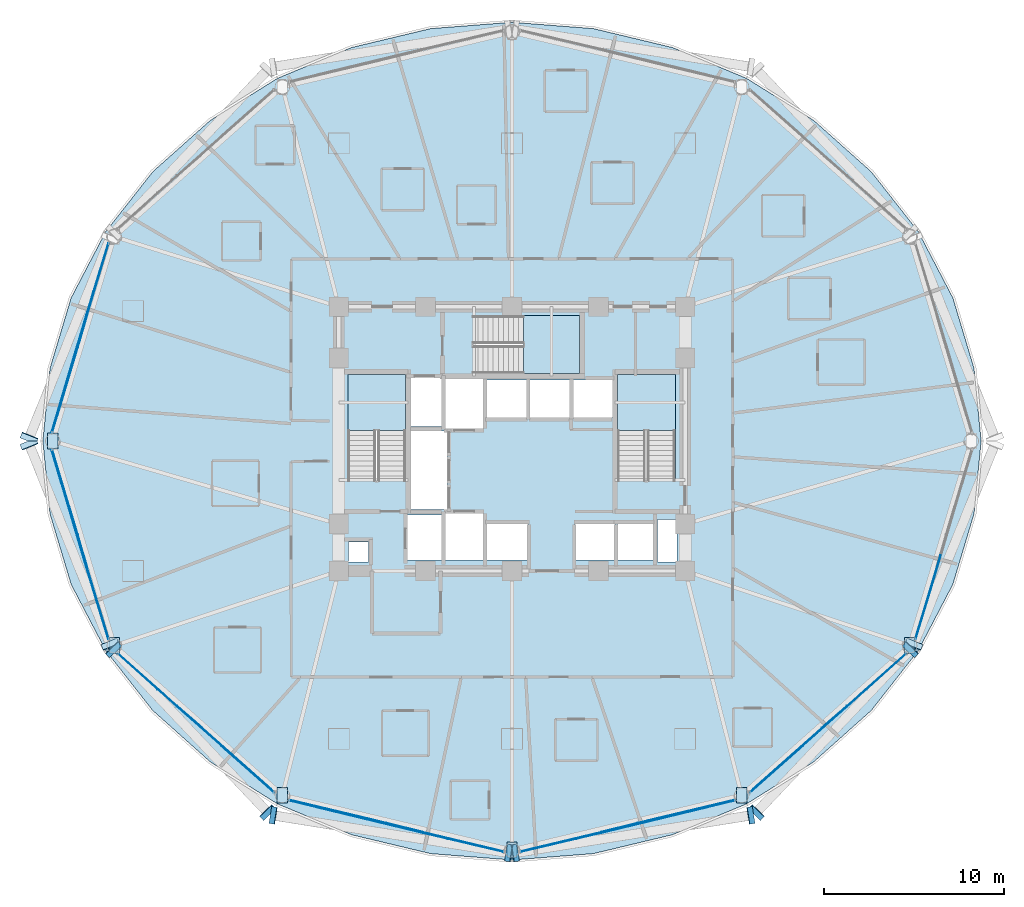
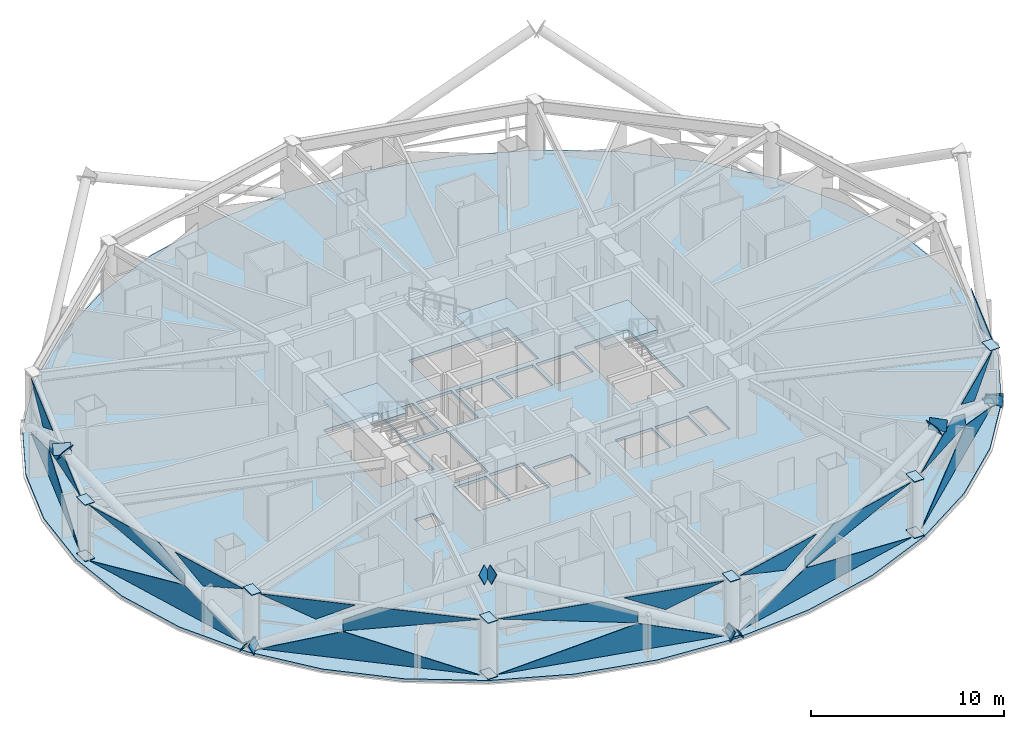
# One storey, part 21 of 31: 43 plates, 4 slabs, 10 elements without a shape of their own.
"""IFC4 building model written with IfcOpenShell, lengths in metres."""

from ifc_helpers import new_model, si_unit, direction, frame, origin, place, context, subcontext, project, spatial, polyline, outline, extrude, material, layer, layer_set, type_object, element, aggregate, save


model = new_model("IFC4")

# Units and contexts
model_context = context("Model", 3, precision=1e-05, world=origin(), true_north=direction((0.0, 1.0)))
body_context = subcontext(model_context, "Body", "Model", "MODEL_VIEW")
ifc_project = project(units=[si_unit("LENGTHUNIT", "METRE"), si_unit("AREAUNIT", "SQUARE_METRE"), si_unit("VOLUMEUNIT", "CUBIC_METRE"), si_unit("PLANEANGLEUNIT", "RADIAN"), si_unit("MASSUNIT", "GRAM", prefix="KILO")], contexts=[model_context])

# Site, building, storey
site_placement = place(None, origin())
site = spatial("IfcSite", under=ifc_project, at=site_placement, CompositionType="ELEMENT")
building_placement = place(site_placement, origin())
building = spatial("IfcBuilding", under=site, at=building_placement, Name="Vantalir Tower", CompositionType="ELEMENT")
storey_placement = place(building_placement, frame((0.0, 0.0, 34.5)))
storey = spatial("IfcBuildingStorey", under=building, at=storey_placement, Name="L07", CompositionType="ELEMENT", Elevation=34.5)

# Curtain wall, plates
ifc_material_1 = material(Name="Champagne-silver PVDF aluminium and double-silver Low-E glass", Category="aluminium")
ifc_layer_1 = layer(ifc_material_1, 0.18994140625)
ifc_layer_set_1 = layer_set([ifc_layer_1], Name="Champagne-silver PVDF aluminium and double-silver Low-E glass")
curtain_wall_type = type_object("IfcCurtainWallType", Name="CW-DIAMOND-Z1", PredefinedType="USERDEFINED", material=ifc_layer_set_1)
curtain_wall_1_placement = place(storey_placement, origin())
curtain_wall_1 = element("IfcCurtainWall", 1, at=curtain_wall_1_placement, inside=storey, type_object=curtain_wall_type, Name="L07 Quilted Pyramid-Diamond Curtain Wall S06", ObjectType="UNITISED CURTAIN WALL", PredefinedType="USERDEFINED")
ifc_material_2 = material(Name="Double-silver Low-E laminated glass IGU", Category="glass")
ifc_layer_2 = layer(ifc_material_2, 0.028076171875)
ifc_layer_set_2 = layer_set([ifc_layer_2], Name="Double-silver Low-E laminated glass IGU")
plate_type_1 = type_object("IfcPlateType", Name="CWP-IGU-28", PredefinedType="CURTAIN_PANEL", material=ifc_layer_set_2)
plate_1_placement = place(storey_placement, frame((9.1552734375, 35.962646484375, 0.046630859375), z_axis=(0.957578880535, -0.287846289434, 0.013682149448), x_axis=(-0.287872943892, -0.957668610574, -2.2270845e-05)))
plate_1 = element("IfcPlate", 2, at=plate_1_placement, type_object=plate_type_1, Name="CW-L07-S06 Pyramid Diamond Facet 1L", PredefinedType="CURTAIN_PANEL", context=body_context, shape_type="SweptSolid", body=[
    extrude(outline(polyline([(0.0, 0.0), (10.962342191971807, 4.960224939121183e-18), (4.17112620356803, -1.7265728701411234), (0.0, 0.0)])), origin(), (0.0, 0.0, -1.0), 0.028076171875),
])
plate_2_placement = place(storey_placement, frame((7.423095703125, 30.2001953125, 3.5234375), z_axis=(-0.95757709555, 0.287851926147, 0.013688487562), x_axis=(-0.287878896961, -0.957666821334, 8.0838e-08)))
plate_2 = element("IfcPlate", 3, at=plate_2_placement, type_object=plate_type_1, Name="CW-L07-S06 Pyramid Diamond Facet 2U", PredefinedType="CURTAIN_PANEL", context=body_context, shape_type="SweptSolid", body=[
    extrude(outline(polyline([(0.0, 0.0), (4.9451764766655355, 3.469446951953614e-18), (-1.8460010540114744, -1.7267241305527814), (-1.8458890448418033, -1.0745630193233766), (0.0, 0.0)])), origin(), (0.0, 0.0, -1.0), 0.028076171875),
])
plate_3_placement = place(storey_placement, frame((9.124755859375, 35.971923828125, 3.523681640625), z_axis=(-0.957575984619, 0.287852951573, 0.013744524407), x_axis=(-0.287879481159, -0.957666644396, 5.0390247e-05)))
plate_3 = element("IfcPlate", 4, at=plate_3_placement, type_object=plate_type_1, Name="CW-L07-S06 Pyramid Diamond Facet 2U Infill Light", PredefinedType="CURTAIN_PANEL", context=body_context, shape_type="SweptSolid", body=[
    extrude(outline(polyline([(0.0, 0.0), (4.844997583739049, 4.607859233063394e-19), (2.831477520793205, -1.1718842364116733), (0.0, 0.0)])), origin(), (0.0, 0.0, -1.0), 0.028076171875),
])
aggregate(curtain_wall_1, [plate_1, plate_2, plate_3])

curtain_wall_2_placement = place(storey_placement, origin())
curtain_wall_2 = element("IfcCurtainWall", 5, at=curtain_wall_2_placement, inside=storey, type_object=curtain_wall_type, Name="L07 Quilted Pyramid-Diamond Curtain Wall S07", ObjectType="UNITISED CURTAIN WALL", PredefinedType="USERDEFINED")
plate_4_placement = place(storey_placement, frame((5.99951171875, 24.53564453125, 0.04638671875), z_axis=(0.957578880535, 0.287846289434, 0.013682149448), x_axis=(0.287872943892, -0.957668610574, 2.2270845e-05)))
plate_4 = element("IfcPlate", 6, at=plate_4_placement, type_object=plate_type_1, Name="CW-L07-S07 Pyramid Diamond Facet 1L", PredefinedType="CURTAIN_PANEL", context=body_context, shape_type="SweptSolid", body=[
    extrude(outline(polyline([(0.0, 0.0), (10.962342191971807, -4.960224939121183e-18), (6.791215988403775, -1.7265728701411234), (0.0, 0.0)])), origin(), (0.0, 0.0, -1.0), 0.028076171875),
])
plate_5_placement = place(storey_placement, frame((5.99951171875, 24.53564453125, 3.5234375), z_axis=(-0.95757709555, -0.287851926147, 0.013688487562), x_axis=(0.287878896961, -0.957666821334, -8.0838e-08)))
plate_5 = element("IfcPlate", 7, at=plate_5_placement, type_object=plate_type_1, Name="CW-L07-S07 Pyramid Diamond Facet 2U", PredefinedType="CURTAIN_PANEL", context=body_context, shape_type="SweptSolid", body=[
    extrude(outline(polyline([(0.0, 0.0), (4.9451764766655355, -3.469446951953614e-18), (6.791065521507338, -1.0745630193233766), (6.79117753067701, -1.7267241305527814), (0.0, 0.0)])), origin(), (0.0, 0.0, -1.0), 0.028076171875),
])
plate_6_placement = place(storey_placement, frame((7.72998046875, 18.66796875, 3.52392578125), z_axis=(-0.957575984619, -0.287852951573, 0.013744524407), x_axis=(0.287879481159, -0.957666644396, -5.0390247e-05)))
plate_6 = element("IfcPlate", 8, at=plate_6_placement, type_object=plate_type_1, Name="CW-L07-S07 Pyramid Diamond Facet 2U Infill Light", PredefinedType="CURTAIN_PANEL", context=body_context, shape_type="SweptSolid", body=[
    extrude(outline(polyline([(0.0, 0.0), (4.844997583739049, -4.607859233063394e-19), (2.0135200629458447, -1.1718842364116733), (0.0, 0.0)])), origin(), (0.0, 0.0, -1.0), 0.028076171875),
])
aggregate(curtain_wall_2, [plate_4, plate_5, plate_6])

curtain_wall_3_placement = place(storey_placement, origin())
curtain_wall_3 = element("IfcCurtainWall", 9, at=curtain_wall_3_placement, inside=storey, type_object=curtain_wall_type, Name="L07 Quilted Pyramid-Diamond Curtain Wall S08", ObjectType="UNITISED CURTAIN WALL", PredefinedType="USERDEFINED")
plate_7_placement = place(storey_placement, frame((9.656982421875, 13.250244140625, 0.046630859375), z_axis=(0.665308885605, 0.746444198425, 0.013606813458), x_axis=(0.746513498737, -0.66537026967, -2.1043369e-05)))
plate_7 = element("IfcPlate", 10, at=plate_7_placement, type_object=plate_type_1, Name="CW-L07-S08 Pyramid Diamond Facet 1L", PredefinedType="CURTAIN_PANEL", context=body_context, shape_type="SweptSolid", body=[
    extrude(outline(polyline([(0.0, 0.0), (11.601784410505761, 9.920449878242366e-18), (4.410452310106066, -1.726815174474904), (0.0, 0.0)])), origin(), (0.0, 0.0, -1.0), 0.028076171875),
])
plate_8_placement = place(storey_placement, frame((14.32763671875, 9.087158203125, 3.5234375), z_axis=(-0.665295896096, -0.746457044834, 0.013537018017), x_axis=(0.746525859022, -0.665356400532, 4.5640372e-05)))
plate_8 = element("IfcPlate", 11, at=plate_8_placement, type_object=plate_type_1, Name="CW-L07-S08 Pyramid Diamond Facet 2U", PredefinedType="CURTAIN_PANEL", context=body_context, shape_type="SweptSolid", body=[
    extrude(outline(polyline([(0.0, 0.0), (5.34508431934579, -6.965998958219366e-18), (-1.8462906958364507, -1.7268806104543608), (-1.8464134828495853, -1.035411184032086), (0.0, 0.0)])), origin(), (0.0, 0.0, -1.0), 0.028076171875),
])
plate_9_placement = place(storey_placement, frame((9.6357421875, 13.2265625, 3.52392578125), z_axis=(-0.665342965553, -0.746415182255, 0.013531958037), x_axis=(0.746483531135, -0.665403890689, 0.0)))
plate_9 = element("IfcPlate", 12, at=plate_9_placement, type_object=plate_type_1, Name="CW-L07-S08 Pyramid Diamond Facet 2U Infill Light", PredefinedType="CURTAIN_PANEL", context=body_context, shape_type="SweptSolid", body=[
    extrude(outline(polyline([(0.0, 0.0), (5.052661389449345, 0.0), (2.975530594401684, -1.1651457445678306), (0.0, 0.0)])), origin(), (0.0, 0.0, -1.0), 0.028076171875),
])
aggregate(curtain_wall_3, [plate_7, plate_8, plate_9])

curtain_wall_4_placement = place(storey_placement, origin())
curtain_wall_4 = element("IfcCurtainWall", 13, at=curtain_wall_4_placement, inside=storey, type_object=curtain_wall_type, Name="L07 Quilted Pyramid-Diamond Curtain Wall S09", ObjectType="UNITISED CURTAIN WALL", PredefinedType="USERDEFINED")
plate_10_placement = place(storey_placement, frame((19.151611328125, 5.09521484375, 0.04638671875), z_axis=(0.232286508823, 0.972549752748, 0.013782461632), x_axis=(0.972642072645, -0.232308842109, 1.9993876e-05)))
plate_10 = element("IfcPlate", 14, at=plate_10_placement, type_object=plate_type_1, Name="CW-L07-S09 Pyramid Diamond Facet 1L", PredefinedType="CURTAIN_PANEL", context=body_context, shape_type="SweptSolid", body=[
    extrude(outline(polyline([(0.0, 0.0), (12.210770352635775, -5.963111948670274e-19), (7.564815878873884, -1.727063572655862), (0.0, 0.0)])), origin(), (0.0, 0.0, -1.0), 0.028076171875),
])
plate_11_placement = place(storey_placement, frame((19.151611328125, 5.09521484375, 3.523681640625), z_axis=(-0.232265562903, -0.972552635623, 0.013931232274), x_axis=(0.972647026321, -0.232288101694, 2.54665e-07)))
plate_11 = element("IfcPlate", 15, at=plate_11_placement, type_object=plate_type_1, Name="CW-L07-S09 Pyramid Diamond Facet 2U", PredefinedType="CURTAIN_PANEL", context=body_context, shape_type="SweptSolid", body=[
    extrude(outline(polyline([(0.0, 0.0), (5.536172911172143, 3.469446951953614e-18), (7.564876137438785, -1.0699299758912284), (7.56478040077165, -1.727463078978955), (0.0, 0.0)])), origin(), (0.0, 0.0, -1.0), 0.028076171875),
])
plate_12_placement = place(storey_placement, frame((25.758056640625, 3.484619140625, 3.52392578125), z_axis=(-0.232297726161, -0.972546529978, 0.013820761463), x_axis=(0.97263942802, -0.232319915335, 0.0)))
plate_12 = element("IfcPlate", 16, at=plate_12_placement, type_object=plate_type_1, Name="CW-L07-S09 Pyramid Diamond Facet 2U Infill Light", PredefinedType="CURTAIN_PANEL", context=body_context, shape_type="SweptSolid", body=[
    extrude(outline(polyline([(0.0, 0.0), (5.410987156709802, 0.0), (2.2373670714759313, -1.1798001842315358), (0.0, 0.0)])), origin(), (0.0, 0.0, -1.0), 0.028076171875),
])
aggregate(curtain_wall_4, [plate_10, plate_11, plate_12])

curtain_wall_5_placement = place(storey_placement, origin())
curtain_wall_5 = element("IfcCurtainWall", 17, at=curtain_wall_5_placement, inside=storey, type_object=curtain_wall_type, Name="L07 Quilted Pyramid-Diamond Curtain Wall S10", ObjectType="UNITISED CURTAIN WALL", PredefinedType="USERDEFINED")
plate_13_placement = place(storey_placement, frame((31.9716796875, 2.258544921875, 0.046630859375), z_axis=(-0.232286508823, 0.972549752748, 0.013782461632), x_axis=(0.972642072645, 0.232308842109, -1.9993876e-05)))
plate_13 = element("IfcPlate", 18, at=plate_13_placement, type_object=plate_type_1, Name="CW-L07-S10 Pyramid Diamond Facet 1L", PredefinedType="CURTAIN_PANEL", context=body_context, shape_type="SweptSolid", body=[
    extrude(outline(polyline([(0.0, 0.0), (12.210770352635775, 5.963111948670274e-19), (4.645954473761892, -1.7270635726558619), (0.0, 0.0)])), origin(), (0.0, 0.0, -1.0), 0.028076171875),
])
plate_14_placement = place(storey_placement, frame((38.463623046875, 3.809326171875, 3.523681640625), z_axis=(0.232265562903, -0.972552635623, 0.013931232274), x_axis=(0.972647026321, 0.232288101694, -2.54665e-07)))
plate_14 = element("IfcPlate", 19, at=plate_14_placement, type_object=plate_type_1, Name="CW-L07-S10 Pyramid Diamond Facet 2U", PredefinedType="CURTAIN_PANEL", context=body_context, shape_type="SweptSolid", body=[
    extrude(outline(polyline([(0.0, 0.0), (5.536172911172143, -3.469446951953614e-18), (-2.028607489599507, -1.727463078978955), (-2.0287032262666416, -1.0699299758912284), (0.0, 0.0)])), origin(), (0.0, 0.0, -1.0), 0.028076171875),
])
plate_15_placement = place(storey_placement, frame((31.97900390625, 2.2275390625, 3.52392578125), z_axis=(0.232297726161, -0.972546529978, 0.013820761463), x_axis=(0.97263942802, 0.232319915335, 0.0)))
plate_15 = element("IfcPlate", 20, at=plate_15_placement, type_object=plate_type_1, Name="CW-L07-S10 Pyramid Diamond Facet 2U Infill Light", PredefinedType="CURTAIN_PANEL", context=body_context, shape_type="SweptSolid", body=[
    extrude(outline(polyline([(0.0, 0.0), (5.410987156709802, 0.0), (3.173620085233871, -1.1798001842315358), (0.0, 0.0)])), origin(), (0.0, 0.0, -1.0), 0.028076171875),
])
aggregate(curtain_wall_5, [plate_13, plate_14, plate_15])

curtain_wall_6_placement = place(storey_placement, origin())
curtain_wall_6 = element("IfcCurtainWall", 21, at=curtain_wall_6_placement, inside=storey, type_object=curtain_wall_type, Name="L07 Quilted Pyramid-Diamond Curtain Wall S11", ObjectType="UNITISED CURTAIN WALL", PredefinedType="USERDEFINED")
plate_16_placement = place(storey_placement, frame((44.68212890625, 5.53076171875, 0.04638671875), z_axis=(-0.665308885605, 0.746444198425, 0.013606813458), x_axis=(0.746513498737, 0.66537026967, 2.1043369e-05)))
plate_16 = element("IfcPlate", 22, at=plate_16_placement, type_object=plate_type_1, Name="CW-L07-S11 Pyramid Diamond Facet 1L", PredefinedType="CURTAIN_PANEL", context=body_context, shape_type="SweptSolid", body=[
    extrude(outline(polyline([(0.0, 0.0), (11.601784410505761, -9.920449878242366e-18), (7.191332100399694, -1.7268151744749043), (0.0, 0.0)])), origin(), (0.0, 0.0, -1.0), 0.028076171875),
])
plate_17_placement = place(storey_placement, frame((44.68212890625, 5.53076171875, 3.523681640625), z_axis=(0.665295896096, -0.746457044834, 0.013537018017), x_axis=(0.746525859022, 0.665356400532, -4.5640372e-05)))
plate_17 = element("IfcPlate", 23, at=plate_17_placement, type_object=plate_type_1, Name="CW-L07-S11 Pyramid Diamond Facet 2U", PredefinedType="CURTAIN_PANEL", context=body_context, shape_type="SweptSolid", body=[
    extrude(outline(polyline([(0.0, 0.0), (5.34508431934579, 6.965998958219366e-18), (7.191497802195375, -1.035411184032086), (7.19137501518224, -1.7268806104543606), (0.0, 0.0)])), origin(), (0.0, 0.0, -1.0), 0.028076171875),
])
plate_18_placement = place(storey_placement, frame((49.592529296875, 9.864501953125, 3.52392578125), z_axis=(0.665342965553, -0.746415182255, 0.013531958037), x_axis=(0.746483531135, 0.665403890689, 0.0)))
plate_18 = element("IfcPlate", 24, at=plate_18_placement, type_object=plate_type_1, Name="CW-L07-S11 Pyramid Diamond Facet 2U Infill Light", PredefinedType="CURTAIN_PANEL", context=body_context, shape_type="SweptSolid", body=[
    extrude(outline(polyline([(0.0, 0.0), (5.052661389449345, 0.0), (2.077130795047662, -1.1651457445678306), (0.0, 0.0)])), origin(), (0.0, 0.0, -1.0), 0.028076171875),
])
aggregate(curtain_wall_6, [plate_16, plate_17, plate_18])

# Curtain wall, plate
curtain_wall_7_placement = place(storey_placement, origin())
curtain_wall_7 = element("IfcCurtainWall", 25, at=curtain_wall_7_placement, inside=storey, type_object=curtain_wall_type, Name="L07 Quilted Pyramid-Diamond Curtain Wall S12", ObjectType="UNITISED CURTAIN WALL", PredefinedType="USERDEFINED")
plate_19_placement = place(storey_placement, frame((53.875244140625, 14.028076171875, 3.523681640625), z_axis=(0.957575984619, -0.287852951573, 0.013744524407), x_axis=(0.287879481159, 0.957666644396, 5.0390247e-05)))
plate_19 = element("IfcPlate", 26, at=plate_19_placement, type_object=plate_type_1, Name="CW-L07-S12 Pyramid Diamond Facet 2U Infill Light", PredefinedType="CURTAIN_PANEL", context=body_context, shape_type="SweptSolid", body=[
    extrude(outline(polyline([(0.0, 0.0), (4.844997583739049, 4.607859233063394e-19), (2.831477520793205, -1.1718842364116733), (0.0, 0.0)])), origin(), (0.0, 0.0, -1.0), 0.028076171875),
])
aggregate(curtain_wall_7, [plate_19])

# Plates
ifc_material_3 = material(Name="Steel S460", Category="steel")
ifc_layer_3 = layer(ifc_material_3, 0.0400390625)
ifc_layer_set_3 = layer_set([ifc_layer_3], Name="Steel S460")
plate_type_2 = type_object("IfcPlateType", Name="PLT-KN-Z1", PredefinedType="USERDEFINED", material=ifc_layer_set_3)
plate_20_placement = place(storey_placement, frame((4.233154296875, 25.1845703125, 6.87744140625), z_axis=(-0.32429785934, -0.801578984289, 0.502296755289), x_axis=(0.927000734219, -0.375059512357, -3.0797032e-05)))
element("IfcPlate", 27, at=plate_20_placement, inside=storey, type_object=plate_type_2, Name="Node Cap Plate MEM-DG-L07-R16L End", ObjectType="FLANGE_PLATE", PredefinedType="USERDEFINED", context=body_context, shape_type="SweptSolid", body=[
    extrude(outline(polyline([(0.0, 0.0), (0.9502454924566439, 0.0), (0.9500851695939612, 0.6200589616401195), (0.00015756293970395075, 0.6199912849772323), (0.0, 0.0)])), origin(), (0.0, 0.0, -1.0), 0.0400390625),
])
plate_21_placement = place(storey_placement, frame((9.19091796875, 12.991943359375, -0.0791015625), z_axis=(0.599820441711, -0.633679464776, 0.488534311617), x_axis=(0.726242994845, 0.687438078985, 0.0)))
element("IfcPlate", 28, at=plate_21_placement, inside=storey, type_object=plate_type_2, Name="Node Cap Plate MEM-DG-L07-R22L Start", ObjectType="FLANGE_PLATE", PredefinedType="USERDEFINED", context=body_context, shape_type="SweptSolid", body=[
    extrude(outline(polyline([(0.0, 0.0), (0.9500145421671882, 0.0), (0.9499892576365012, 0.620043459822388), (-2.5284530686953133e-05, 0.620043459822388), (0.0, 0.0)])), origin(), (0.0, 0.0, -1.0), 0.0400390625),
])
plate_22_placement = place(storey_placement, frame((17.7314453125, 3.970458984375, 6.877685546875), z_axis=(0.5998376671, -0.633579236488, 0.488643146088), x_axis=(0.726163532153, 0.687522016367, 3.9773685e-05)))
element("IfcPlate", 29, at=plate_22_placement, inside=storey, type_object=plate_type_2, Name="Node Cap Plate MEM-DG-L07-R22L End", ObjectType="FLANGE_PLATE", PredefinedType="USERDEFINED", context=body_context, shape_type="SweptSolid", body=[
    extrude(outline(polyline([(0.0, 0.0), (0.9501823871245255, 0.0), (0.950213632804475, 0.6200434547270608), (0.00019909773472647846, 0.6201300785002961), (0.0, 0.0)])), origin(), (0.0, 0.0, -1.0), 0.0400390625),
])
plate_23_placement = place(storey_placement, frame((9.60302734375, 14.078369140625, -0.073486328125), z_axis=(-0.324348519355, 0.801593086203, 0.502241537653), x_axis=(-0.926978097613, -0.375115454054, 5.1730214e-05)))
element("IfcPlate", 30, at=plate_23_placement, inside=storey, type_object=plate_type_2, Name="Node Cap Plate MEM-DG-L07-R22R Start", ObjectType="FLANGE_PLATE", PredefinedType="USERDEFINED", context=body_context, shape_type="SweptSolid", body=[
    extrude(outline(polyline([(0.0, 0.0), (0.9500191799336452, -2.7755575615628914e-17), (0.9501179435034988, 0.6199452884684159), (0.00019034449125337807, 0.6200589481672679), (0.0, 0.0)])), origin(), (0.0, 0.0, -1.0), 0.0400390625),
])
plate_24_placement = place(storey_placement, frame((5.114013671875, 25.171875, 6.87744140625), z_axis=(-0.32429785934, 0.801578984289, 0.502296755289), x_axis=(-0.927000734219, -0.375059512357, 3.0797032e-05)))
element("IfcPlate", 31, at=plate_24_placement, inside=storey, type_object=plate_type_2, Name="Node Cap Plate MEM-DG-L07-R22R End", ObjectType="FLANGE_PLATE", PredefinedType="USERDEFINED", context=body_context, shape_type="SweptSolid", body=[
    extrude(outline(polyline([(0.0, 0.0), (0.9502454924566439, 0.0), (0.9500879295169399, 0.6199912849772323), (0.00016032286268275185, 0.6200589616401194), (0.0, 0.0)])), origin(), (0.0, 0.0, -1.0), 0.0400390625),
])
plate_25_placement = place(storey_placement, frame((31.916748046875, 1.7314453125, -0.087890625), z_axis=(0.873501895215, 0.139464778846, 0.466416138784), x_axis=(-0.157633133954, 0.987497742476, -6.070332e-05)))
element("IfcPlate", 32, at=plate_25_placement, inside=storey, type_object=plate_type_2, Name="Node Cap Plate MEM-DG-L07-R28L Start", ObjectType="FLANGE_PLATE", PredefinedType="USERDEFINED", context=body_context, shape_type="SweptSolid", body=[
    extrude(outline(polyline([(0.0, 0.0), (0.9500934900997524, 0.0), (0.9500037316102368, 0.6199626391592217), (0.00011284517467441804, 0.6198322526935731), (0.0, 0.0)])), origin(), (0.0, 0.0, -1.0), 0.0400390625),
])
plate_26_placement = place(storey_placement, frame((44.968505859375, 3.8154296875, 6.878173828125), z_axis=(0.873501895215, 0.139464778846, 0.466416138784), x_axis=(-0.157687644765, 0.987489040321, 4.3986328e-05)))
element("IfcPlate", 33, at=plate_26_placement, inside=storey, type_object=plate_type_2, Name="Node Cap Plate MEM-DG-L07-R28L End", ObjectType="FLANGE_PLATE", PredefinedType="USERDEFINED", context=body_context, shape_type="SweptSolid", body=[
    extrude(outline(polyline([(0.0, 0.0), (0.9501319814058832, 0.0), (0.9500770984671998, 0.6198502004474862), (0.00022470121294896483, 0.6199446799900126), (0.0, 0.0)])), origin(), (0.0, 0.0, -1.0), 0.0400390625),
])
plate_27_placement = place(storey_placement, frame((31.23291015625, 2.669677734375, -0.087890625), z_axis=(-0.873501895215, 0.139464778846, 0.466416138784), x_axis=(-0.157633133954, -0.987497742476, 6.070332e-05)))
element("IfcPlate", 34, at=plate_27_placement, inside=storey, type_object=plate_type_2, Name="Node Cap Plate MEM-DG-L07-R28R Start", ObjectType="FLANGE_PLATE", PredefinedType="USERDEFINED", context=body_context, shape_type="SweptSolid", body=[
    extrude(outline(polyline([(0.0, 0.0), (0.9500934900997524, 0.0), (0.9499806449250779, 0.6198322526935731), (8.975848951562778e-05, 0.6199626391592217), (0.0, 0.0)])), origin(), (0.0, 0.0, -1.0), 0.0400390625),
])
plate_28_placement = place(storey_placement, frame((18.181396484375, 4.753662109375, 6.878173828125), z_axis=(-0.873501895215, 0.139464778846, 0.466416138784), x_axis=(-0.157687644765, -0.987489040321, -4.3986328e-05)))
element("IfcPlate", 35, at=plate_28_placement, inside=storey, type_object=plate_type_2, Name="Node Cap Plate MEM-DG-L07-R28R End", ObjectType="FLANGE_PLATE", PredefinedType="USERDEFINED", context=body_context, shape_type="SweptSolid", body=[
    extrude(outline(polyline([(0.0, 0.0), (0.9501319814058832, 0.0), (0.9499072801929341, 0.6199446799900126), (5.4882938683289905e-05, 0.6198502004474862), (0.0, 0.0)])), origin(), (0.0, 0.0, -1.0), 0.0400390625),
])
plate_29_placement = place(storey_placement, frame((54.277587890625, 13.721923828125, -0.073486328125), z_axis=(0.324348519355, 0.801593086203, 0.502241537653), x_axis=(-0.926978097613, 0.375115454054, -5.1730214e-05)))
element("IfcPlate", 36, at=plate_29_placement, inside=storey, type_object=plate_type_2, Name="Node Cap Plate MEM-DG-L07-R34L Start", ObjectType="FLANGE_PLATE", PredefinedType="USERDEFINED", context=body_context, shape_type="SweptSolid", body=[
    extrude(outline(polyline([(0.0, 0.0), (0.9500191799336452, 2.7755575615628914e-17), (0.9498288354423918, 0.620058948167268), (-9.876356985355274e-05, 0.619945288468416), (0.0, 0.0)])), origin(), (0.0, 0.0, -1.0), 0.0400390625),
])
plate_30_placement = place(storey_placement, frame((53.119140625, 13.64501953125, -0.0791015625), z_axis=(-0.599820441711, -0.633679464776, 0.488534311617), x_axis=(0.726242994845, -0.687438078985, 0.0)))
element("IfcPlate", 37, at=plate_30_placement, inside=storey, type_object=plate_type_2, Name="Node Cap Plate MEM-DG-L07-R34R Start", ObjectType="FLANGE_PLATE", PredefinedType="USERDEFINED", context=body_context, shape_type="SweptSolid", body=[
    extrude(outline(polyline([(0.0, 0.0), (0.9500145421671882, 0.0), (0.9500398266978753, 0.620043459822388), (2.5284530686953133e-05, 0.620043459822388), (0.0, 0.0)])), origin(), (0.0, 0.0, -1.0), 0.0400390625),
])
plate_31_placement = place(storey_placement, frame((44.57861328125, 4.623779296875, 6.877685546875), z_axis=(-0.5998376671, -0.633579236488, 0.488643146088), x_axis=(0.726163532153, -0.687522016367, -3.9773685e-05)))
element("IfcPlate", 38, at=plate_31_placement, inside=storey, type_object=plate_type_2, Name="Node Cap Plate MEM-DG-L07-R34R End", ObjectType="FLANGE_PLATE", PredefinedType="USERDEFINED", context=body_context, shape_type="SweptSolid", body=[
    extrude(outline(polyline([(0.0, 0.0), (0.9501823871245255, 0.0), (0.949983289389799, 0.6201300785002961), (-3.1245679949493834e-05, 0.6200434547270608), (0.0, 0.0)])), origin(), (0.0, 0.0, -1.0), 0.0400390625),
])
ifc_layer_4 = layer(ifc_material_3, 0.035888671875)
ifc_layer_set_4 = layer_set([ifc_layer_4], Name="Steel S460")
plate_type_3 = type_object("IfcPlateType", Name="PLT-KN-Z2", PredefinedType="USERDEFINED", material=ifc_layer_set_4)
for number, where, z_axis, x_axis, name in (
    (39, (5.760009765625, 25.43994140625, 3.597900390625), (0.0, 0.0, 1.0), (0.0, -1.0, 0.0), "L07 Ring Column Top Cap RC07"),
    (40, (5.760009765625, 25.43994140625, 0.052978515625), (0.0, 0.0, 1.0), (0.0, -1.0, 0.0), "L07 Ring Column Base Cap RC07"),
    (41, (9.169921875, 14.10791015625, 3.597900390625), (0.0, 0.0, 1.0), (0.0, -1.0, 0.0), "L07 Ring Column Top Cap RC08"),
    (42, (9.169921875, 14.10791015625, 0.052978515625), (0.0, 0.0, 1.0), (0.0, -1.0, 0.0), "L07 Ring Column Base Cap RC08"),
):
    element("IfcPlate", number, at=place(storey_placement, frame(where, z_axis=z_axis, x_axis=x_axis)), inside=storey, type_object=plate_type_3, Name=name, ObjectType="FLANGE_PLATE", PredefinedType="USERDEFINED", context=body_context, shape_type="SweptSolid", body=[
        extrude(outline(polyline([(0.0, 0.0), (0.8798828125, 0.0), (0.8798828125, 0.580078125), (0.0, 0.580078125), (0.0, 0.0)])), origin(), (0.0, 0.0, -1.0), 0.035888671875),
    ])
for number, where, z_axis, x_axis, name in (
    (43, (18.485107421875, 5.81201171875, 3.597900390625), (0.0, 0.0, 1.0), (0.0, -1.0, 0.0), "L07 Ring Column Top Cap RC09"),
    (44, (18.485107421875, 5.81201171875, 0.052978515625), (0.0, 0.0, 1.0), (0.0, -1.0, 0.0), "L07 Ring Column Base Cap RC09"),
):
    element("IfcPlate", number, at=place(storey_placement, frame(where, z_axis=z_axis, x_axis=x_axis)), inside=storey, type_object=plate_type_3, Name=name, ObjectType="FLANGE_PLATE", PredefinedType="USERDEFINED", context=body_context, shape_type="SweptSolid", body=[
        extrude(outline(polyline([(0.0, 0.0), (0.880126953125, 0.0), (0.880126953125, 0.579833984375), (0.0, 0.579833984375), (0.0, 0.0)])), origin(), (0.0, 0.0, -1.0), 0.035888671875),
    ])
for number, where, z_axis, x_axis, name in (
    (45, (31.2099609375, 2.77587890625, 3.597900390625), (0.0, 0.0, 1.0), (0.0, -1.0, 0.0), "L07 Ring Column Top Cap RC10"),
    (46, (31.2099609375, 2.77587890625, 0.052978515625), (0.0, 0.0, 1.0), (0.0, -1.0, 0.0), "L07 Ring Column Base Cap RC10"),
):
    element("IfcPlate", number, at=place(storey_placement, frame(where, z_axis=z_axis, x_axis=x_axis)), inside=storey, type_object=plate_type_3, Name=name, ObjectType="FLANGE_PLATE", PredefinedType="USERDEFINED", context=body_context, shape_type="SweptSolid", body=[
        extrude(outline(polyline([(0.0, 0.0), (0.8798828125, 0.0), (0.8798828125, 0.580078125), (0.0, 0.580078125), (0.0, 0.0)])), origin(), (0.0, 0.0, -1.0), 0.035888671875),
    ])
for number, where, z_axis, x_axis, name in (
    (47, (43.93505859375, 5.81201171875, 3.597900390625), (0.0, 0.0, 1.0), (0.0, -1.0, 0.0), "L07 Ring Column Top Cap RC11"),
    (48, (43.93505859375, 5.81201171875, 0.052978515625), (0.0, 0.0, 1.0), (0.0, -1.0, 0.0), "L07 Ring Column Base Cap RC11"),
):
    element("IfcPlate", number, at=place(storey_placement, frame(where, z_axis=z_axis, x_axis=x_axis)), inside=storey, type_object=plate_type_3, Name=name, ObjectType="FLANGE_PLATE", PredefinedType="USERDEFINED", context=body_context, shape_type="SweptSolid", body=[
        extrude(outline(polyline([(0.0, 0.0), (0.880126953125, 0.0), (0.880126953125, 0.579833984375), (0.0, 0.579833984375), (0.0, 0.0)])), origin(), (0.0, 0.0, -1.0), 0.035888671875),
    ])
for number, where, z_axis, x_axis, name in (
    (49, (53.25, 14.10791015625, 3.597900390625), (0.0, 0.0, 1.0), (0.0, -1.0, 0.0), "L07 Ring Column Top Cap RC12"),
    (50, (53.25, 14.10791015625, 0.052978515625), (0.0, 0.0, 1.0), (0.0, -1.0, 0.0), "L07 Ring Column Base Cap RC12"),
):
    element("IfcPlate", number, at=place(storey_placement, frame(where, z_axis=z_axis, x_axis=x_axis)), inside=storey, type_object=plate_type_3, Name=name, ObjectType="FLANGE_PLATE", PredefinedType="USERDEFINED", context=body_context, shape_type="SweptSolid", body=[
        extrude(outline(polyline([(0.0, 0.0), (0.8798828125, 0.0), (0.8798828125, 0.580078125), (0.0, 0.580078125), (0.0, 0.0)])), origin(), (0.0, 0.0, -1.0), 0.035888671875),
    ])

# Stair, slab
ifc_material_4 = material(Name="Concrete C40/50", Category="concrete")
stair_type = type_object("IfcStairType", Name="STR-CORE-1450", PredefinedType="HALF_TURN_STAIR", material=ifc_material_4)
stair_1_placement = place(storey_placement, origin())
stair_1 = element("IfcStair", 51, at=stair_1_placement, inside=storey, type_object=stair_type, Name="L07 Core Exit Stair 1", PredefinedType="HALF_TURN_STAIR")
ifc_layer_5 = layer(ifc_material_4, 0.199951171875)
ifc_layer_set_5 = layer_set([ifc_layer_5], Name="Concrete C40/50")
slab_type_1 = type_object("IfcSlabType", Name="SL-LAND-200", PredefinedType="LANDING", material=ifc_layer_set_5)
slab_1_placement = place(storey_placement, frame((0.0, 0.0, 1.675048828125)))
slab_1 = element("IfcSlab", 52, at=slab_1_placement, type_object=slab_type_1, Name="ST1 landing 1", PredefinedType="LANDING", context=body_context, shape_type="SweptSolid", body=[
    extrude(outline(polyline([(25.60009765625, 25.590087890625), (25.60009765625, 28.699951171875), (22.39990234375, 28.699951171875), (22.39990234375, 25.590087890625), (25.60009765625, 25.590087890625)])), origin(), (0.0, 0.0, 1.0), 0.199951171875),
])
aggregate(stair_1, [slab_1])

stair_2_placement = place(storey_placement, origin())
stair_2 = element("IfcStair", 53, at=stair_2_placement, inside=storey, type_object=stair_type, Name="L07 Core Exit Stair 2", PredefinedType="HALF_TURN_STAIR")
slab_2_placement = place(storey_placement, frame((0.0, 0.0, 1.675048828125)))
slab_2 = element("IfcSlab", 54, at=slab_2_placement, type_object=slab_type_1, Name="ST2 landing 1", PredefinedType="LANDING", context=body_context, shape_type="SweptSolid", body=[
    extrude(outline(polyline([(40.550048828125, 25.590087890625), (40.550048828125, 28.699951171875), (37.35009765625, 28.699951171875), (37.35009765625, 25.590087890625), (40.550048828125, 25.590087890625)])), origin(), (0.0, 0.0, 1.0), 0.199951171875),
])
aggregate(stair_2, [slab_2])

stair_3_placement = place(storey_placement, origin())
stair_3 = element("IfcStair", 55, at=stair_3_placement, inside=storey, type_object=stair_type, Name="L07 Core Exit Stair 3", PredefinedType="HALF_TURN_STAIR")
slab_3_placement = place(storey_placement, frame((0.0, 0.0, 1.675048828125)))
slab_3 = element("IfcSlab", 56, at=slab_3_placement, type_object=slab_type_1, Name="ST3 landing 1", PredefinedType="LANDING", context=body_context, shape_type="SweptSolid", body=[
    extrude(outline(polyline([(32.139892578125, 28.75), (35.25, 28.75), (35.25, 31.949951171875), (32.139892578125, 31.949951171875), (32.139892578125, 28.75)])), origin(), (0.0, 0.0, 1.0), 0.199951171875),
])
aggregate(stair_3, [slab_3])

# Slab
ifc_layer_6 = layer(ifc_material_4, 0.179931640625)
ifc_layer_set_6 = layer_set([ifc_layer_6], Name="Concrete C40/50")
slab_type_2 = type_object("IfcSlabType", Name="SL-TWR-180", PredefinedType="FLOOR", material=ifc_layer_set_6)
slab_4_placement = place(storey_placement, frame((0.0, 0.0, -0.179931640625)))
element("IfcSlab", 57, at=slab_4_placement, inside=storey, type_object=slab_type_2, Name="L07 Primary Structural Slab", PredefinedType="FLOOR", context=body_context, shape_type="SweptSolid", body=[
    extrude(outline(polyline([(8.98291015625, 13.39306640625), (11.5830078125, 10.077880859375), (14.7880859375, 7.217041015625), (18.5, 4.89599609375), (22.60693359375, 3.18603515625), (26.985107421875, 2.138916015625), (31.5, 1.785888671875), (36.014892578125, 2.138916015625), (40.39306640625, 3.18603515625), (44.5, 4.89599609375), (48.2119140625, 7.217041015625), (51.4169921875, 10.077880859375), (54.01708984375, 13.39306640625), (55.931884765625, 17.06005859375), (57.10498046875, 20.968994140625), (57.5, 25.0), (57.10498046875, 29.031005859375), (55.931884765625, 32.93994140625), (54.01708984375, 36.60693359375), (51.4169921875, 39.922119140625), (48.2119140625, 42.782958984375), (44.5, 45.10400390625), (40.39306640625, 46.81396484375), (36.014892578125, 47.861083984375), (31.5, 48.214111328125), (26.985107421875, 47.861083984375), (22.60693359375, 46.81396484375), (18.5, 45.10400390625), (14.7880859375, 42.782958984375), (11.5830078125, 39.922119140625), (8.98291015625, 36.60693359375), (7.068115234375, 32.93994140625), (5.89501953125, 29.031005859375), (5.5, 25.0), (5.89501953125, 20.968994140625), (7.068115234375, 17.06005859375), (8.98291015625, 13.39306640625)]), holes=[polyline([(22.39990234375, 22.7900390625), (22.39990234375, 28.699951171875), (25.60009765625, 28.699951171875), (25.60009765625, 22.7900390625), (22.39990234375, 22.7900390625)]), polyline([(37.35009765625, 28.699951171875), (40.550048828125, 28.699951171875), (40.550048828125, 22.7900390625), (37.35009765625, 22.7900390625), (37.35009765625, 28.699951171875)]), polyline([(35.25, 28.75), (29.340087890625, 28.75), (29.340087890625, 31.949951171875), (35.25, 31.949951171875), (35.25, 28.75)]), polyline([(27.60009765625, 18.39990234375), (25.699951171875, 18.39990234375), (25.699951171875, 20.89990234375), (27.60009765625, 20.89990234375), (27.60009765625, 18.39990234375)]), polyline([(25.699951171875, 25.800048828125), (25.699951171875, 28.5), (27.60009765625, 28.5), (27.60009765625, 25.800048828125), (25.699951171875, 25.800048828125)]), polyline([(27.800048828125, 21.0), (29.89990234375, 21.0), (29.89990234375, 18.39990234375), (27.800048828125, 18.39990234375), (27.800048828125, 21.0)]), polyline([(29.89990234375, 28.5), (29.89990234375, 25.699951171875), (27.800048828125, 25.699951171875), (27.800048828125, 28.5), (29.89990234375, 28.5)]), polyline([(32.39990234375, 18.39990234375), (30.10009765625, 18.39990234375), (30.10009765625, 20.39990234375), (32.39990234375, 20.39990234375), (32.39990234375, 18.39990234375)]), polyline([(37.35009765625, 18.39990234375), (37.35009765625, 20.39990234375), (39.35009765625, 20.39990234375), (39.35009765625, 18.39990234375), (37.35009765625, 18.39990234375)]), polyline([(35.0, 20.39990234375), (37.199951171875, 20.39990234375), (37.199951171875, 18.39990234375), (35.0, 18.39990234375), (35.0, 20.39990234375)]), polyline([(32.300048828125, 28.39990234375), (32.300048828125, 26.300048828125), (30.10009765625, 26.300048828125), (30.10009765625, 28.39990234375), (32.300048828125, 28.39990234375)]), polyline([(34.699951171875, 26.300048828125), (32.5, 26.300048828125), (32.5, 28.39990234375), (34.699951171875, 28.39990234375), (34.699951171875, 26.300048828125)]), polyline([(34.89990234375, 26.300048828125), (34.89990234375, 28.39990234375), (37.10009765625, 28.39990234375), (37.10009765625, 26.300048828125), (34.89990234375, 26.300048828125)]), polyline([(25.889892578125, 25.56005859375), (27.89990234375, 25.56005859375), (27.89990234375, 21.199951171875), (25.889892578125, 21.199951171875), (25.889892578125, 25.56005859375)]), polyline([(23.550048828125, 19.39990234375), (23.550048828125, 18.300048828125), (22.449951171875, 18.300048828125), (22.449951171875, 19.39990234375), (23.550048828125, 19.39990234375)]), polyline([(40.64990234375, 18.300048828125), (39.550048828125, 18.300048828125), (39.550048828125, 20.64990234375), (40.64990234375, 20.64990234375), (40.64990234375, 18.300048828125)])]), origin(), (0.0, 0.0, 1.0), 0.179931640625),
])

save(model, "model.ifc")
